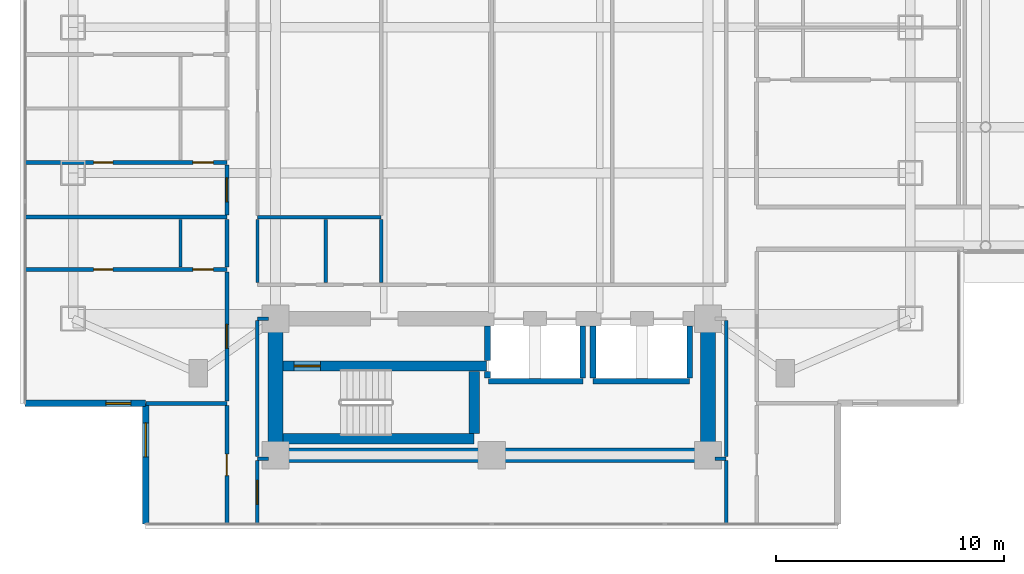
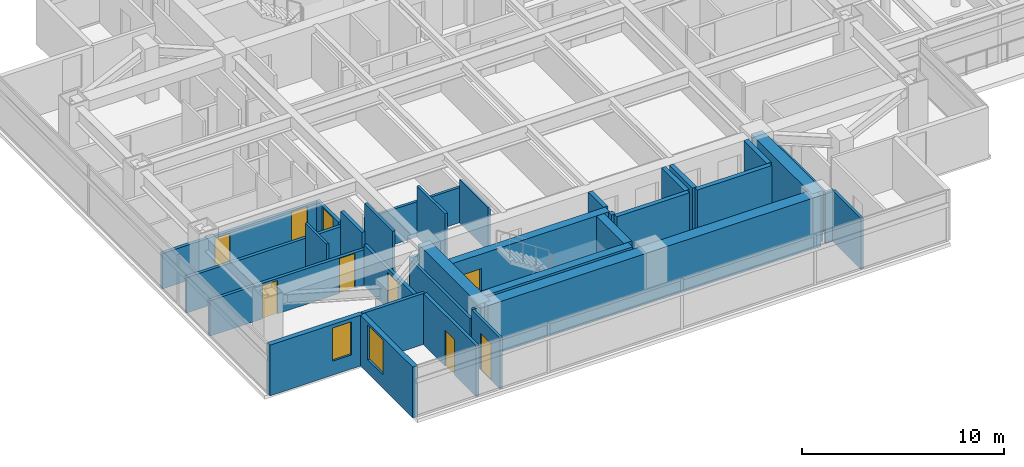
# One storey, part 15 of 28: 35 walls, 9 doors, 2 windows, 11 openings.
"""IFC4 building model written with IfcOpenShell, lengths in metres."""

from ifc_helpers import new_model, si_unit, direction, frame, frame_2d, origin, place, context, subcontext, project, spatial, rectangle, extrude, material, layer, layer_set, type_object, element, fill, save


model = new_model("IFC4")

# Units and contexts
model_context = context("Model", 3, precision=1e-05, world=origin(), true_north=direction((0.0, 1.0)))
body_context = subcontext(model_context, "Body", "Model", "MODEL_VIEW")
ifc_project = project(units=[si_unit("LENGTHUNIT", "METRE"), si_unit("AREAUNIT", "SQUARE_METRE"), si_unit("VOLUMEUNIT", "CUBIC_METRE"), si_unit("PLANEANGLEUNIT", "RADIAN"), si_unit("MASSUNIT", "GRAM", prefix="KILO")], contexts=[model_context])

# Site, building, storey
site_placement = place(None, origin())
site = spatial("IfcSite", under=ifc_project, at=site_placement, CompositionType="ELEMENT")
building_placement = place(site_placement, origin())
building = spatial("IfcBuilding", under=site, at=building_placement, Name="Mirazonda Arch Towers", CompositionType="ELEMENT")
storey_placement = place(building_placement, frame((0.0, 0.0, 91.699951171875)))
storey = spatial("IfcBuildingStorey", under=building, at=storey_placement, Name="L25", CompositionType="ELEMENT", Elevation=91.699951171875)

# Wall
ifc_material_1 = material(Name="Concrete C50/60", Category="concrete")
ifc_layer_1 = layer(ifc_material_1, 0.449951171875, Name="WALL-CORE-450")
ifc_layer_set_1 = layer_set([ifc_layer_1], Name="Concrete C50/60")
wall_type_1 = type_object("IfcWallType", Name="WALL-CORE-450", PredefinedType="SHEAR", material=ifc_layer_set_1)
wall_1_placement = place(storey_placement, frame((11.320068359375, 13.1201171875, 0.0), z_axis=(0.0, 0.0, 1.0), x_axis=(1.0, 0.0, 0.0)))
element("IfcWall", 1, at=wall_1_placement, inside=storey, type_object=wall_type_1, Name="L25 Stair Core Shear Wall 003", PredefinedType="SHEAR", context=body_context, shape_type="SweptSolid", body=[
    extrude(rectangle(XDim=8.409912109375, YDim=0.449951171875, at=frame_2d((4.205078125, 0.0))), origin(), (0.0, 0.0, 1.0), 3.080078125),
])

# Wall, opening, door
wall_2_placement = place(storey_placement, frame((11.320068359375, 16.320068359375, 0.0), z_axis=(0.0, 0.0, 1.0), x_axis=(1.0, 0.0, 0.0)))
wall_2 = element("IfcWall", 2, at=wall_2_placement, inside=storey, type_object=wall_type_1, Name="L25 Stair Core Shear Wall 008", PredefinedType="SHEAR", context=body_context, shape_type="SweptSolid", body=[
    extrude(rectangle(XDim=8.9599609375, YDim=0.449951171875, at=frame_2d((4.47998046875, 0.0))), origin(), (0.0, 0.0, 1.0), 3.080078125),
])
opening_1_placement = place(wall_2_placement, frame((0.4951171875, 0.0, 0.0)))
opening_1 = element("IfcOpeningElement", 3, at=opening_1_placement, cuts=wall_2, Name="Opening DR-135", PredefinedType="OPENING", context=body_context, shape_type="SweptSolid", body=[
    extrude(rectangle(XDim=1.14990234375, YDim=2.199951171875, at=frame_2d((0.574951171875, 1.10009765625))), frame((0.0, 0.23486328125, 0.0), z_axis=(0.0, -1.0, 0.0), x_axis=(1.0, 0.0, 0.0)), (0.0, 0.0, 1.0), 0.469970703125),
])
ifc_material_2 = material(Name="Architectural Brushed Steel S355", Category="steel")
door_type_1 = type_object("IfcDoorType", Name="DOOR-STAIR-FD90-1150", OperationType="NOTDEFINED", PredefinedType="DOOR", material=ifc_material_2)
door_1_placement = place(opening_1_placement, origin())
door_1 = element("IfcDoor", 4, at=door_1_placement, inside=storey, type_object=door_type_1, Name="L25 Protected Exit Stair South Door", OperationType="SINGLE_SWING_RIGHT", OverallHeight=2.199951171875, OverallWidth=1.14990234375, PredefinedType="DOOR", context=body_context, shape_type="SweptSolid", body=[
    extrude(rectangle(XDim=1.14990234375, YDim=2.199951171875, at=frame_2d((0.574951171875, 1.10009765625))), frame((0.0, 0.02490234375, 0.0), z_axis=(0.0, -1.0, 0.0), x_axis=(1.0, 0.0, 0.0)), (0.0, 0.0, 1.0), 0.050048828125),
])
fill(opening_1, door_1)

# Walls
wall_3_placement = place(storey_placement, frame((19.72998046875, 13.35498046875, 0.0), z_axis=(0.0, 0.0, 1.0), x_axis=(0.0, 1.0, 0.0)))
element("IfcWall", 5, at=wall_3_placement, inside=storey, type_object=wall_type_1, Name="L25 Stair Core Shear Wall 092", PredefinedType="SHEAR", context=body_context, shape_type="SweptSolid", body=[
    extrude(rectangle(XDim=2.72998046875, YDim=0.449951171875, at=frame_2d((1.364990234375, 0.0))), origin(), (0.0, 0.0, 1.0), 3.080078125),
])
ifc_material_3 = material(Name="Concrete C60/75", Category="concrete")
ifc_layer_2 = layer(ifc_material_3, 0.64990234375, Name="WALL-CORE-650")
ifc_layer_set_2 = layer_set([ifc_layer_2], Name="Concrete C60/75")
wall_type_2 = type_object("IfcWallType", Name="WALL-CORE-650", PredefinedType="SHEAR", material=ifc_layer_set_2)
wall_4_placement = place(storey_placement, frame((11.0, 12.39990234375, 0.0), z_axis=(0.0, 0.0, 1.0), x_axis=(1.0, 0.0, 0.0)))
element("IfcWall", 6, at=wall_4_placement, inside=storey, type_object=wall_type_2, Name="L25 T1S-S Core Shear Wall", PredefinedType="SHEAR", context=body_context, shape_type="SweptSolid", body=[
    extrude(rectangle(XDim=19.0, YDim=0.64990234375, at=frame_2d((9.5, 0.0))), origin(), (0.0, 0.0, 1.0), 3.080078125),
])
for number, where, z_axis, x_axis, name in (
    (7, (11.0, 12.39990234375, 0.0), (0.0, 0.0, 1.0), (0.0, 1.0, 0.0), "L25 T1S-W Core Shear Wall"),
    (8, (30.0, 12.39990234375, 0.0), (0.0, 0.0, 1.0), (0.0, 1.0, 0.0), "L25 T1S-E Core Shear Wall"),
):
    element("IfcWall", number, at=place(storey_placement, frame(where, z_axis=z_axis, x_axis=x_axis)), inside=storey, type_object=wall_type_2, Name=name, PredefinedType="SHEAR", context=body_context, shape_type="SweptSolid", body=[
        extrude(rectangle(XDim=6.0, YDim=0.64990234375, at=frame_2d((3.0, 0.0))), origin(), (0.0, 0.0, 1.0), 3.080078125),
    ])

# Wall, opening, window
ifc_material_4 = material(Name="Precast Concrete C40/50", Category="concrete")
ifc_layer_3 = layer(ifc_material_4, 0.280029296875, Name="WALL-EXT-WALL-280")
ifc_layer_set_3 = layer_set([ifc_layer_3], Name="Precast Concrete C40/50")
wall_type_3 = type_object("IfcWallType", Name="WALL-EXT-WALL-280", PredefinedType="SOLIDWALL", material=ifc_layer_set_3)
wall_5_placement = place(storey_placement, frame((5.294921875, 14.677001953125, 0.0), z_axis=(0.0, 0.0, 1.0), x_axis=(0.0, -1.0, 0.0)))
wall_5 = element("IfcWall", 9, at=wall_5_placement, inside=storey, type_object=wall_type_3, Name="L25 T1 Notched SW Corner Wall WL-L25-T1-CSW", PredefinedType="SOLIDWALL", context=body_context, shape_type="SweptSolid", body=[
    extrude(rectangle(XDim=5.304931640625, YDim=0.280029296875, at=frame_2d((2.65234375, 0.0))), origin(), (0.0, 0.0, 1.0), 3.06005859375),
])
opening_2_placement = place(wall_5_placement, frame((0.85009765625, 0.0, 0.81005859375)))
opening_2 = element("IfcOpeningElement", 10, at=opening_2_placement, cuts=wall_5, Name="Opening WN-120", PredefinedType="OPENING", context=body_context, shape_type="SweptSolid", body=[
    extrude(rectangle(XDim=1.5, YDim=2.10009765625, at=frame_2d((0.75, 1.050048828125))), frame((0.0, 0.14990234375, 0.0), z_axis=(0.0, -1.0, 0.0), x_axis=(1.0, 0.0, 0.0)), (0.0, 0.0, 1.0), 0.300048828125),
])
ifc_material_5 = material(Name="Insulated Low-E Solar Glass", Category="glass")
window_type_1 = type_object("IfcWindowType", Name="WIN-HTL-1500x2100", PartitioningType="SINGLE_PANEL", PredefinedType="WINDOW", material=ifc_material_5)
window_1_placement = place(opening_2_placement, origin())
window_1 = element("IfcWindow", 11, at=window_1_placement, inside=storey, type_object=window_type_1, Name="L25 Punched Facade Window WN-L25-T1-CSW", OverallHeight=2.10009765625, OverallWidth=1.5, PartitioningType="SINGLE_PANEL", PredefinedType="WINDOW", context=body_context, shape_type="SweptSolid", body=[
    extrude(rectangle(XDim=1.5, YDim=2.10009765625, at=frame_2d((0.75, 1.050048828125))), frame((0.0, 0.030029296875, 0.0), z_axis=(0.0, -1.0, 0.0), x_axis=(1.0, 0.0, 0.0)), (0.0, 0.0, 1.0), 0.06005859375),
])
fill(opening_2, window_1)

wall_6_placement = place(storey_placement, frame((-0.010009765625, 14.677001953125, 0.0), z_axis=(0.0, 0.0, 1.0), x_axis=(1.0, 0.0, 0.0)))
wall_6 = element("IfcWall", 12, at=wall_6_placement, inside=storey, type_object=wall_type_3, Name="L25 T1 Corner Notch Return Wall WL-L25-T1-CSW2", PredefinedType="SOLIDWALL", context=body_context, shape_type="SweptSolid", body=[
    extrude(rectangle(XDim=5.304931640625, YDim=0.280029296875, at=frame_2d((2.65234375, 0.0))), origin(), (0.0, 0.0, 1.0), 3.06005859375),
])
opening_3_placement = place(wall_6_placement, frame((3.554931640625, 0.0, 0.85009765625)))
opening_3 = element("IfcOpeningElement", 13, at=opening_3_placement, cuts=wall_6, Name="Opening WN-108", PredefinedType="OPENING", context=body_context, shape_type="SweptSolid", body=[
    extrude(rectangle(XDim=1.10009765625, YDim=2.0, at=frame_2d((0.550048828125, 1.0))), frame((0.0, 0.14990234375, 0.0), z_axis=(0.0, -1.0, 0.0), x_axis=(1.0, 0.0, 0.0)), (0.0, 0.0, 1.0), 0.300048828125),
])
window_type_2 = type_object("IfcWindowType", Name="WIN-NOTCH-1100x2000", PartitioningType="SINGLE_PANEL", PredefinedType="WINDOW", material=ifc_material_5)
window_2_placement = place(opening_3_placement, origin())
window_2 = element("IfcWindow", 14, at=window_2_placement, inside=storey, type_object=window_type_2, Name="L25 Punched Facade Window WN-L25-T1-CSW2", OverallHeight=2.0, OverallWidth=1.10009765625, PartitioningType="SINGLE_PANEL", PredefinedType="WINDOW", context=body_context, shape_type="SweptSolid", body=[
    extrude(rectangle(XDim=1.10009765625, YDim=2.0, at=frame_2d((0.550048828125, 1.0))), frame((0.0, 0.030029296875, 0.0), z_axis=(0.0, -1.0, 0.0), x_axis=(1.0, 0.0, 0.0)), (0.0, 0.0, 1.0), 0.06005859375),
])
fill(opening_3, window_2)

# Walls
ifc_material_6 = material(Name="Fire-Rated Gypsum Stud Partition")
ifc_layer_4 = layer(ifc_material_6, 0.14990234375, Name="WALL-PART-CORR-150")
ifc_layer_set_4 = layer_set([ifc_layer_4], Name="Fire-Rated Gypsum Stud Partition")
wall_type_4 = type_object("IfcWallType", Name="WALL-PART-CORR-150", PredefinedType="PARTITIONING", material=ifc_layer_set_4)
for number, where, z_axis, x_axis, name in (
    (15, (10.199951171875, 12.25, 0.0), (0.0, 0.0, 1.0), (1.0, 0.0, 0.0), "L25 Interior Partition 001"),
    (16, (30.320068359375, 12.25, 0.0), (0.0, 0.0, 1.0), (1.0, 0.0, 0.0), "L25 Interior Partition 002"),
):
    element("IfcWall", number, at=place(storey_placement, frame(where, z_axis=z_axis, x_axis=x_axis)), inside=storey, type_object=wall_type_4, Name=name, PredefinedType="PARTITIONING", context=body_context, shape_type="SweptSolid", body=[
        extrude(rectangle(XDim=0.47998046875, YDim=0.14990234375, at=frame_2d((0.239990234375, 0.0))), origin(), (0.0, 0.0, 1.0), 3.080078125),
    ])
wall_7_placement = place(storey_placement, frame((10.199951171875, 18.39990234375, 0.0), z_axis=(0.0, 0.0, 1.0), x_axis=(1.0, 0.0, 0.0)))
element("IfcWall", 17, at=wall_7_placement, inside=storey, type_object=wall_type_4, Name="L25 Interior Partition 012", PredefinedType="PARTITIONING", context=body_context, shape_type="SweptSolid", body=[
    extrude(rectangle(XDim=0.47998046875, YDim=0.14990234375, at=frame_2d((0.239990234375, 0.0))), origin(), (0.0, 0.0, 1.0), 2.4560546875),
])
wall_8_placement = place(storey_placement, frame((10.199951171875, 22.85009765625, 0.0), z_axis=(0.0, 0.0, 1.0), x_axis=(1.0, 0.0, 0.0)))
element("IfcWall", 18, at=wall_8_placement, inside=storey, type_object=wall_type_4, Name="L25 Interior Partition 025", PredefinedType="PARTITIONING", context=body_context, shape_type="SweptSolid", body=[
    extrude(rectangle(XDim=5.43994140625, YDim=0.14990234375, at=frame_2d((2.719970703125, 0.0))), origin(), (0.0, 0.0, 1.0), 2.1240234375),
])

# Wall, opening, door
wall_9_placement = place(storey_placement, frame((10.199951171875, 9.3720703125, 0.0), z_axis=(0.0, 0.0, 1.0), x_axis=(0.0, 1.0, 0.0)))
wall_9 = element("IfcWall", 19, at=wall_9_placement, inside=storey, type_object=wall_type_4, Name="L25 Interior Partition 079", PredefinedType="PARTITIONING", context=body_context, shape_type="SweptSolid", body=[
    extrude(rectangle(XDim=2.79296875, YDim=0.14990234375, at=frame_2d((1.396484375, 0.0))), origin(), (0.0, 0.0, 1.0), 3.080078125),
])
opening_4_placement = place(wall_9_placement, frame((0.87158203125, 0.0, 0.0)))
opening_4 = element("IfcOpeningElement", 20, at=opening_4_placement, cuts=wall_9, Name="Opening DR-121", PredefinedType="OPENING", context=body_context, shape_type="SweptSolid", body=[
    extrude(rectangle(XDim=1.050048828125, YDim=2.199951171875, at=frame_2d((0.52490234375, 1.10009765625))), frame((0.0, 0.0849609375, 0.0), z_axis=(0.0, -1.0, 0.0), x_axis=(1.0, 0.0, 0.0)), (0.0, 0.0, 1.0), 0.169921875),
])
door_type_2 = type_object("IfcDoorType", Name="DOOR-SUITE-FD60-1050", OperationType="NOTDEFINED", PredefinedType="DOOR", material=ifc_material_2)
door_2_placement = place(opening_4_placement, origin())
door_2 = element("IfcDoor", 21, at=door_2_placement, inside=storey, type_object=door_type_2, Name="L25 South Horizon Lounge Gallery Door", OperationType="SINGLE_SWING_LEFT", OverallHeight=2.199951171875, OverallWidth=1.050048828125, PredefinedType="DOOR", context=body_context, shape_type="SweptSolid", body=[
    extrude(rectangle(XDim=1.050048828125, YDim=2.199951171875, at=frame_2d((0.52490234375, 1.10009765625))), frame((0.0, 0.02490234375, 0.0), z_axis=(0.0, -1.0, 0.0), x_axis=(1.0, 0.0, 0.0)), (0.0, 0.0, 1.0), 0.050048828125),
])
fill(opening_4, door_2)

# Walls
wall_10_placement = place(storey_placement, frame((10.199951171875, 12.3349609375, 0.0), z_axis=(0.0, 0.0, 1.0), x_axis=(0.0, 1.0, 0.0)))
element("IfcWall", 22, at=wall_10_placement, inside=storey, type_object=wall_type_4, Name="L25 Interior Partition 080", PredefinedType="PARTITIONING", context=body_context, shape_type="SweptSolid", body=[
    extrude(rectangle(XDim=5.97998046875, YDim=0.14990234375, at=frame_2d((2.989990234375, 0.0))), origin(), (0.0, 0.0, 1.0), 2.4560546875),
])
for number, where, z_axis, x_axis, name in (
    (23, (10.206787109375, 19.985107421875, 0.0), (0.0, 0.0, 1.0), (0.0, 1.0, 0.0), "L25 Interior Partition 081"),
    (24, (13.199951171875, 19.985107421875, 0.0), (0.0, 0.0, 1.0), (0.0, 1.0, 0.0), "L25 Interior Partition 086"),
):
    element("IfcWall", number, at=place(storey_placement, frame(where, z_axis=z_axis, x_axis=x_axis)), inside=storey, type_object=wall_type_4, Name=name, PredefinedType="PARTITIONING", context=body_context, shape_type="SweptSolid", body=[
        extrude(rectangle(XDim=2.77978515625, YDim=0.14990234375, at=frame_2d((1.389892578125, 0.0))), origin(), (0.0, 0.0, 1.0), 3.080078125),
    ])
wall_11_placement = place(storey_placement, frame((15.639892578125, 19.985107421875, 0.0), z_axis=(0.0, 0.0, 1.0), x_axis=(0.0, 1.0, 0.0)))
element("IfcWall", 25, at=wall_11_placement, inside=storey, type_object=wall_type_4, Name="L25 Interior Partition 087", PredefinedType="PARTITIONING", context=body_context, shape_type="SweptSolid", body=[
    extrude(rectangle(XDim=2.77978515625, YDim=0.14990234375, at=frame_2d((1.389892578125, 0.0))), origin(), (0.0, 0.0, 1.0), 2.609130859375),
])
wall_12_placement = place(storey_placement, frame((30.800048828125, 9.3720703125, 0.0), z_axis=(0.0, 0.0, 1.0), x_axis=(0.0, 1.0, 0.0)))
element("IfcWall", 26, at=wall_12_placement, inside=storey, type_object=wall_type_4, Name="L25 Interior Partition 107", PredefinedType="PARTITIONING", context=body_context, shape_type="SweptSolid", body=[
    extrude(rectangle(XDim=2.79296875, YDim=0.14990234375, at=frame_2d((1.396484375, 0.0))), origin(), (0.0, 0.0, 1.0), 3.080078125),
])
wall_13_placement = place(storey_placement, frame((30.800048828125, 12.3349609375, 0.0), z_axis=(0.0, 0.0, 1.0), x_axis=(0.0, 1.0, 0.0)))
element("IfcWall", 27, at=wall_13_placement, inside=storey, type_object=wall_type_4, Name="L25 Interior Partition 108", PredefinedType="PARTITIONING", context=body_context, shape_type="SweptSolid", body=[
    extrude(rectangle(XDim=5.97998046875, YDim=0.14990234375, at=frame_2d((2.989990234375, 0.0))), origin(), (0.0, 0.0, 1.0), 2.4560546875),
])
ifc_material_7 = material(Name="Fire-Rated Gypsum Twin-Stud Assembly")
ifc_layer_5 = layer(ifc_material_7, 0.179931640625, Name="WALL-PART-DEMISE-180")
ifc_layer_set_5 = layer_set([ifc_layer_5], Name="Fire-Rated Gypsum Twin-Stud Assembly")
wall_type_5 = type_object("IfcWallType", Name="WALL-PART-DEMISE-180", PredefinedType="PARTITIONING", material=ifc_layer_set_5)
wall_14_placement = place(storey_placement, frame((5.31494140625, 14.677001953125, 0.0), z_axis=(0.0, 0.0, 1.0), x_axis=(1.0, 0.0, 0.0)))
element("IfcWall", 28, at=wall_14_placement, inside=storey, type_object=wall_type_5, Name="L25 Interior Partition 004", PredefinedType="PARTITIONING", context=body_context, shape_type="SweptSolid", body=[
    extrude(rectangle(XDim=3.545166015625, YDim=0.179931640625, at=frame_2d((1.7724609375, 0.0))), origin(), (0.0, 0.0, 1.0), 3.080078125),
])

# Wall, openings, doors
wall_15_placement = place(storey_placement, frame((-0.010009765625, 20.56298828125, 0.0), z_axis=(0.0, 0.0, 1.0), x_axis=(1.0, 0.0, 0.0)))
wall_15 = element("IfcWall", 29, at=wall_15_placement, inside=storey, type_object=wall_type_5, Name="L25 Interior Partition 018", PredefinedType="PARTITIONING", context=body_context, shape_type="SweptSolid", body=[
    extrude(rectangle(XDim=8.8701171875, YDim=0.179931640625, at=frame_2d((4.43505859375, 0.0))), origin(), (0.0, 0.0, 1.0), 2.14501953125),
])
opening_5_placement = place(wall_15_placement, frame((3.010009765625, 0.0, 0.0)))
opening_5 = element("IfcOpeningElement", 30, at=opening_5_placement, cuts=wall_15, Name="Opening DR-128", PredefinedType="OPENING", context=body_context, shape_type="SweptSolid", body=[
    extrude(rectangle(XDim=0.85009765625, YDim=2.010009765625, at=frame_2d((0.425048828125, 1.0048828125))), frame((0.0, 0.099853515625, 0.0), z_axis=(0.0, -1.0, 0.0), x_axis=(1.0, 0.0, 0.0)), (0.0, 0.0, 1.0), 0.199951171875),
])
opening_6_placement = place(wall_15_placement, frame((7.3798828125, 0.0, 0.0)))
opening_6 = element("IfcOpeningElement", 31, at=opening_6_placement, cuts=wall_15, Name="Opening DR-120", PredefinedType="OPENING", context=body_context, shape_type="SweptSolid", body=[
    extrude(rectangle(XDim=0.89990234375, YDim=2.10009765625, at=frame_2d((0.449951171875, 1.050048828125))), frame((0.0, 0.099853515625, 0.0), z_axis=(0.0, -1.0, 0.0), x_axis=(1.0, 0.0, 0.0)), (0.0, 0.0, 1.0), 0.199951171875),
])
door_type_3 = type_object("IfcDoorType", Name="DOOR-RISER-FD60-850", OperationType="NOTDEFINED", PredefinedType="DOOR", material=ifc_material_2)
door_3_placement = place(opening_5_placement, origin())
door_3 = element("IfcDoor", 32, at=door_3_placement, inside=storey, type_object=door_type_3, Name="L25 Guestroom Study 1 Door", OperationType="SINGLE_SWING_LEFT", OverallHeight=2.010009765625, OverallWidth=0.85009765625, PredefinedType="DOOR", context=body_context, shape_type="SweptSolid", body=[
    extrude(rectangle(XDim=0.85009765625, YDim=2.010009765625, at=frame_2d((0.425048828125, 1.0048828125))), frame((0.0, 0.02490234375, 0.0), z_axis=(0.0, -1.0, 0.0), x_axis=(1.0, 0.0, 0.0)), (0.0, 0.0, 1.0), 0.050048828125),
])
fill(opening_5, door_3)
door_type_4 = type_object("IfcDoorType", Name="DOOR-WC-900", OperationType="NOTDEFINED", PredefinedType="DOOR", material=ifc_material_2)
door_4_placement = place(opening_6_placement, origin())
door_4 = element("IfcDoor", 33, at=door_4_placement, inside=storey, type_object=door_type_4, Name="L25 En-Suite Bathroom 1 Door", OperationType="SINGLE_SWING_RIGHT", OverallHeight=2.10009765625, OverallWidth=0.89990234375, PredefinedType="DOOR", context=body_context, shape_type="SweptSolid", body=[
    extrude(rectangle(XDim=0.89990234375, YDim=2.10009765625, at=frame_2d((0.449951171875, 1.050048828125))), frame((0.0, 0.02490234375, 0.0), z_axis=(0.0, -1.0, 0.0), x_axis=(1.0, 0.0, 0.0)), (0.0, 0.0, 1.0), 0.050048828125),
])
fill(opening_6, door_4)

# Wall
wall_16_placement = place(storey_placement, frame((-0.010009765625, 22.863037109375, 0.0), z_axis=(0.0, 0.0, 1.0), x_axis=(1.0, 0.0, 0.0)))
element("IfcWall", 34, at=wall_16_placement, inside=storey, type_object=wall_type_5, Name="L25 Interior Partition 024", PredefinedType="PARTITIONING", context=body_context, shape_type="SweptSolid", body=[
    extrude(rectangle(XDim=8.8701171875, YDim=0.179931640625, at=frame_2d((4.43505859375, 0.0))), origin(), (0.0, 0.0, 1.0), 2.14501953125),
])

# Wall, openings, doors
wall_17_placement = place(storey_placement, frame((-0.010009765625, 25.262939453125, 0.0), z_axis=(0.0, 0.0, 1.0), x_axis=(1.0, 0.0, 0.0)))
wall_17 = element("IfcWall", 35, at=wall_17_placement, inside=storey, type_object=wall_type_5, Name="L25 Interior Partition 029", PredefinedType="PARTITIONING", context=body_context, shape_type="SweptSolid", body=[
    extrude(rectangle(XDim=8.8701171875, YDim=0.179931640625, at=frame_2d((4.43505859375, 0.0))), origin(), (0.0, 0.0, 1.0), 2.14501953125),
])
opening_7_placement = place(wall_17_placement, frame((3.010009765625, 0.0, 0.0)))
opening_7 = element("IfcOpeningElement", 36, at=opening_7_placement, cuts=wall_17, Name="Opening DR-128", PredefinedType="OPENING", context=body_context, shape_type="SweptSolid", body=[
    extrude(rectangle(XDim=0.85009765625, YDim=2.010009765625, at=frame_2d((0.425048828125, 1.0048828125))), frame((0.0, 0.099853515625, 0.0), z_axis=(0.0, -1.0, 0.0), x_axis=(1.0, 0.0, 0.0)), (0.0, 0.0, 1.0), 0.199951171875),
])
opening_8_placement = place(wall_17_placement, frame((7.3798828125, 0.0, 0.0)))
opening_8 = element("IfcOpeningElement", 37, at=opening_8_placement, cuts=wall_17, Name="Opening DR-120", PredefinedType="OPENING", context=body_context, shape_type="SweptSolid", body=[
    extrude(rectangle(XDim=0.89990234375, YDim=2.10009765625, at=frame_2d((0.449951171875, 1.050048828125))), frame((0.0, 0.099853515625, 0.0), z_axis=(0.0, -1.0, 0.0), x_axis=(1.0, 0.0, 0.0)), (0.0, 0.0, 1.0), 0.199951171875),
])
door_5_placement = place(opening_7_placement, origin())
door_5 = element("IfcDoor", 38, at=door_5_placement, inside=storey, type_object=door_type_3, Name="L25 Guestroom Study 2 Door", OperationType="SINGLE_SWING_RIGHT", OverallHeight=2.010009765625, OverallWidth=0.85009765625, PredefinedType="DOOR", context=body_context, shape_type="SweptSolid", body=[
    extrude(rectangle(XDim=0.85009765625, YDim=2.010009765625, at=frame_2d((0.425048828125, 1.0048828125))), frame((0.0, 0.02490234375, 0.0), z_axis=(0.0, -1.0, 0.0), x_axis=(1.0, 0.0, 0.0)), (0.0, 0.0, 1.0), 0.050048828125),
])
fill(opening_7, door_5)
door_6_placement = place(opening_8_placement, origin())
door_6 = element("IfcDoor", 39, at=door_6_placement, inside=storey, type_object=door_type_4, Name="L25 En-Suite Bathroom 2 Door", OperationType="SINGLE_SWING_LEFT", OverallHeight=2.10009765625, OverallWidth=0.89990234375, PredefinedType="DOOR", context=body_context, shape_type="SweptSolid", body=[
    extrude(rectangle(XDim=0.89990234375, YDim=2.10009765625, at=frame_2d((0.449951171875, 1.050048828125))), frame((0.0, 0.02490234375, 0.0), z_axis=(0.0, -1.0, 0.0), x_axis=(1.0, 0.0, 0.0)), (0.0, 0.0, 1.0), 0.050048828125),
])
fill(opening_8, door_6)

# Wall, opening, door
wall_18_placement = place(storey_placement, frame((8.860107421875, 9.3720703125, 0.0), z_axis=(0.0, 0.0, 1.0), x_axis=(0.0, 1.0, 0.0)))
wall_18 = element("IfcWall", 40, at=wall_18_placement, inside=storey, type_object=wall_type_5, Name="L25 Interior Partition 069", PredefinedType="PARTITIONING", context=body_context, shape_type="SweptSolid", body=[
    extrude(rectangle(XDim=5.204833984375, YDim=0.179931640625, at=frame_2d((2.6025390625, 0.0))), origin(), (0.0, 0.0, 1.0), 3.080078125),
])
opening_9_placement = place(wall_18_placement, frame((2.12744140625, 0.0, 0.0)))
opening_9 = element("IfcOpeningElement", 41, at=opening_9_placement, cuts=wall_18, Name="Opening DR-104", PredefinedType="OPENING", context=body_context, shape_type="SweptSolid", body=[
    extrude(rectangle(XDim=0.949951171875, YDim=2.14990234375, at=frame_2d((0.47509765625, 1.074951171875))), frame((0.0, 0.099853515625, 0.0), z_axis=(0.0, -1.0, 0.0), x_axis=(1.0, 0.0, 0.0)), (0.0, 0.0, 1.0), 0.199951171875),
])
door_type_5 = type_object("IfcDoorType", Name="DOOR-ROOM-950", OperationType="NOTDEFINED", PredefinedType="DOOR", material=ifc_material_2)
door_7_placement = place(opening_9_placement, origin())
door_7 = element("IfcDoor", 42, at=door_7_placement, inside=storey, type_object=door_type_5, Name="L25 South Horizon Lounge Alcove West Door", OperationType="SINGLE_SWING_RIGHT", OverallHeight=2.14990234375, OverallWidth=0.949951171875, PredefinedType="DOOR", context=body_context, shape_type="SweptSolid", body=[
    extrude(rectangle(XDim=0.949951171875, YDim=2.14990234375, at=frame_2d((0.47509765625, 1.074951171875))), frame((0.0, 0.02490234375, 0.0), z_axis=(0.0, -1.0, 0.0), x_axis=(1.0, 0.0, 0.0)), (0.0, 0.0, 1.0), 0.050048828125),
])
fill(opening_9, door_7)

wall_19_placement = place(storey_placement, frame((8.860107421875, 14.777099609375, 0.0), z_axis=(0.0, 0.0, 1.0), x_axis=(0.0, 1.0, 0.0)))
wall_19 = element("IfcWall", 43, at=wall_19_placement, inside=storey, type_object=wall_type_5, Name="L25 Interior Partition 070", PredefinedType="PARTITIONING", context=body_context, shape_type="SweptSolid", body=[
    extrude(rectangle(XDim=5.685791015625, YDim=0.179931640625, at=frame_2d((2.8427734375, 0.0))), origin(), (0.0, 0.0, 1.0), 2.4560546875),
])
opening_10_placement = place(wall_19_placement, frame((2.318115234375, 0.0, 0.0)))
opening_10 = element("IfcOpeningElement", 44, at=opening_10_placement, cuts=wall_19, Name="Opening DR-121", PredefinedType="OPENING", context=body_context, shape_type="SweptSolid", body=[
    extrude(rectangle(XDim=1.050048828125, YDim=2.199951171875, at=frame_2d((0.52490234375, 1.10009765625))), frame((0.0, 0.099853515625, 0.0), z_axis=(0.0, -1.0, 0.0), x_axis=(1.0, 0.0, 0.0)), (0.0, 0.0, 1.0), 0.199951171875),
])
door_8_placement = place(opening_10_placement, origin())
door_8 = element("IfcDoor", 45, at=door_8_placement, inside=storey, type_object=door_type_2, Name="L25 King Hotel Guestroom 1 Door", OperationType="SINGLE_SWING_RIGHT", OverallHeight=2.199951171875, OverallWidth=1.050048828125, PredefinedType="DOOR", context=body_context, shape_type="SweptSolid", body=[
    extrude(rectangle(XDim=1.050048828125, YDim=2.199951171875, at=frame_2d((0.52490234375, 1.10009765625))), frame((0.0, 0.02490234375, 0.0), z_axis=(0.0, -1.0, 0.0), x_axis=(1.0, 0.0, 0.0)), (0.0, 0.0, 1.0), 0.050048828125),
])
fill(opening_10, door_8)

# Wall
wall_20_placement = place(storey_placement, frame((8.860107421875, 20.6630859375, 0.0), z_axis=(0.0, 0.0, 1.0), x_axis=(0.0, 1.0, 0.0)))
element("IfcWall", 46, at=wall_20_placement, inside=storey, type_object=wall_type_5, Name="L25 Interior Partition 071", PredefinedType="PARTITIONING", context=body_context, shape_type="SweptSolid", body=[
    extrude(rectangle(XDim=2.099853515625, YDim=0.179931640625, at=frame_2d((1.0498046875, 0.0))), origin(), (0.0, 0.0, 1.0), 3.080078125),
])

# Wall, opening, door
wall_21_placement = place(storey_placement, frame((8.860107421875, 22.962890625, 0.0), z_axis=(0.0, 0.0, 1.0), x_axis=(0.0, 1.0, 0.0)))
wall_21 = element("IfcWall", 47, at=wall_21_placement, inside=storey, type_object=wall_type_5, Name="L25 Interior Partition 072", PredefinedType="PARTITIONING", context=body_context, shape_type="SweptSolid", body=[
    extrude(rectangle(XDim=2.2001953125, YDim=0.179931640625, at=frame_2d((1.10009765625, 0.0))), origin(), (0.0, 0.0, 1.0), 2.299072265625),
])
opening_11_placement = place(wall_21_placement, frame((0.574951171875, 0.0, 0.0)))
opening_11 = element("IfcOpeningElement", 48, at=opening_11_placement, cuts=wall_21, Name="Opening DR-121", PredefinedType="OPENING", context=body_context, shape_type="SweptSolid", body=[
    extrude(rectangle(XDim=1.050048828125, YDim=2.199951171875, at=frame_2d((0.52490234375, 1.10009765625))), frame((0.0, 0.099853515625, 0.0), z_axis=(0.0, -1.0, 0.0), x_axis=(1.0, 0.0, 0.0)), (0.0, 0.0, 1.0), 0.199951171875),
])
door_9_placement = place(opening_11_placement, origin())
door_9 = element("IfcDoor", 49, at=door_9_placement, inside=storey, type_object=door_type_2, Name="L25 Twin Hotel Guestroom 2 Door", OperationType="SINGLE_SWING_LEFT", OverallHeight=2.199951171875, OverallWidth=1.050048828125, PredefinedType="DOOR", context=body_context, shape_type="SweptSolid", body=[
    extrude(rectangle(XDim=1.050048828125, YDim=2.199951171875, at=frame_2d((0.52490234375, 1.10009765625))), frame((0.0, 0.02490234375, 0.0), z_axis=(0.0, -1.0, 0.0), x_axis=(1.0, 0.0, 0.0)), (0.0, 0.0, 1.0), 0.050048828125),
])
fill(opening_11, door_9)

# Walls
ifc_material_8 = material(Name="Acoustic Fire-Rated Gypsum Partition")
ifc_layer_6 = layer(ifc_material_8, 0.125, Name="WALL-PART-UNIT-125")
ifc_layer_set_6 = layer_set([ifc_layer_6], Name="Acoustic Fire-Rated Gypsum Partition")
wall_type_6 = type_object("IfcWallType", Name="WALL-PART-UNIT-125", PredefinedType="PARTITIONING", material=ifc_layer_set_6)
wall_22_placement = place(storey_placement, frame((6.820068359375, 20.6630859375, 0.0), z_axis=(0.0, 0.0, 1.0), x_axis=(0.0, 1.0, 0.0)))
element("IfcWall", 50, at=wall_22_placement, inside=storey, type_object=wall_type_6, Name="L25 Interior Partition 065", PredefinedType="PARTITIONING", context=body_context, shape_type="SweptSolid", body=[
    extrude(rectangle(XDim=2.099853515625, YDim=0.125, at=frame_2d((1.0498046875, 0.0))), origin(), (0.0, 0.0, 1.0), 3.080078125),
])
ifc_material_9 = material(Name="Concrete C40/50", Category="concrete")
ifc_layer_7 = layer(ifc_material_9, 0.25, Name="WALL-SHAFT-250")
ifc_layer_set_7 = layer_set([ifc_layer_7], Name="Concrete C40/50")
wall_type_7 = type_object("IfcWallType", Name="WALL-SHAFT-250", PredefinedType="SOLIDWALL", material=ifc_layer_set_7)
wall_23_placement = place(storey_placement, frame((20.35009765625, 15.64990234375, 0.0), z_axis=(0.0, 0.0, 1.0), x_axis=(1.0, 0.0, 0.0)))
element("IfcWall", 51, at=wall_23_placement, inside=storey, type_object=wall_type_7, Name="L25 Interior Partition 006", PredefinedType="SOLIDWALL", context=body_context, shape_type="SweptSolid", body=[
    extrude(rectangle(XDim=4.14990234375, YDim=0.25, at=frame_2d((2.074951171875, 0.0))), origin(), (0.0, 0.0, 1.0), 3.080078125),
])
wall_24_placement = place(storey_placement, frame((24.949951171875, 15.64990234375, 0.0), z_axis=(0.0, 0.0, 1.0), x_axis=(1.0, 0.0, 0.0)))
element("IfcWall", 52, at=wall_24_placement, inside=storey, type_object=wall_type_7, Name="L25 Interior Partition 007", PredefinedType="SOLIDWALL", context=body_context, shape_type="SweptSolid", body=[
    extrude(rectangle(XDim=4.25, YDim=0.25, at=frame_2d((2.125, 0.0))), origin(), (0.0, 0.0, 1.0), 3.080078125),
])
wall_25_placement = place(storey_placement, frame((20.31494140625, 15.784912109375, 0.0), z_axis=(0.0, 0.0, 1.0), x_axis=(0.0, 1.0, 0.0)))
element("IfcWall", 53, at=wall_25_placement, inside=storey, type_object=wall_type_7, Name="L25 Interior Partition 094", PredefinedType="SOLIDWALL", context=body_context, shape_type="SweptSolid", body=[
    extrude(rectangle(XDim=0.300048828125, YDim=0.25, at=frame_2d((0.14990234375, 0.0))), origin(), (0.0, 0.0, 1.0), 3.080078125),
])
wall_26_placement = place(storey_placement, frame((20.31494140625, 16.554931640625, 0.0), z_axis=(0.0, 0.0, 1.0), x_axis=(0.0, 1.0, 0.0)))
element("IfcWall", 54, at=wall_26_placement, inside=storey, type_object=wall_type_7, Name="L25 Interior Partition 095", PredefinedType="SOLIDWALL", context=body_context, shape_type="SweptSolid", body=[
    extrude(rectangle(XDim=1.525146484375, YDim=0.25, at=frame_2d((0.7626953125, 0.0))), origin(), (0.0, 0.0, 1.0), 3.080078125),
])
for number, where, z_axis, x_axis, name in (
    (55, (24.5, 15.784912109375, 0.0), (0.0, 0.0, 1.0), (0.0, 1.0, 0.0), "L25 Interior Partition 098"),
    (56, (24.949951171875, 15.784912109375, 0.0), (0.0, 0.0, 1.0), (0.0, 1.0, 0.0), "L25 Interior Partition 100"),
    (57, (29.199951171875, 15.784912109375, 0.0), (0.0, 0.0, 1.0), (0.0, 1.0, 0.0), "L25 Interior Partition 104"),
):
    element("IfcWall", number, at=place(storey_placement, frame(where, z_axis=z_axis, x_axis=x_axis)), inside=storey, type_object=wall_type_7, Name=name, PredefinedType="SOLIDWALL", context=body_context, shape_type="SweptSolid", body=[
        extrude(rectangle(XDim=2.295166015625, YDim=0.25, at=frame_2d((1.1474609375, 0.0))), origin(), (0.0, 0.0, 1.0), 3.080078125),
    ])

save(model, "model.ifc")
